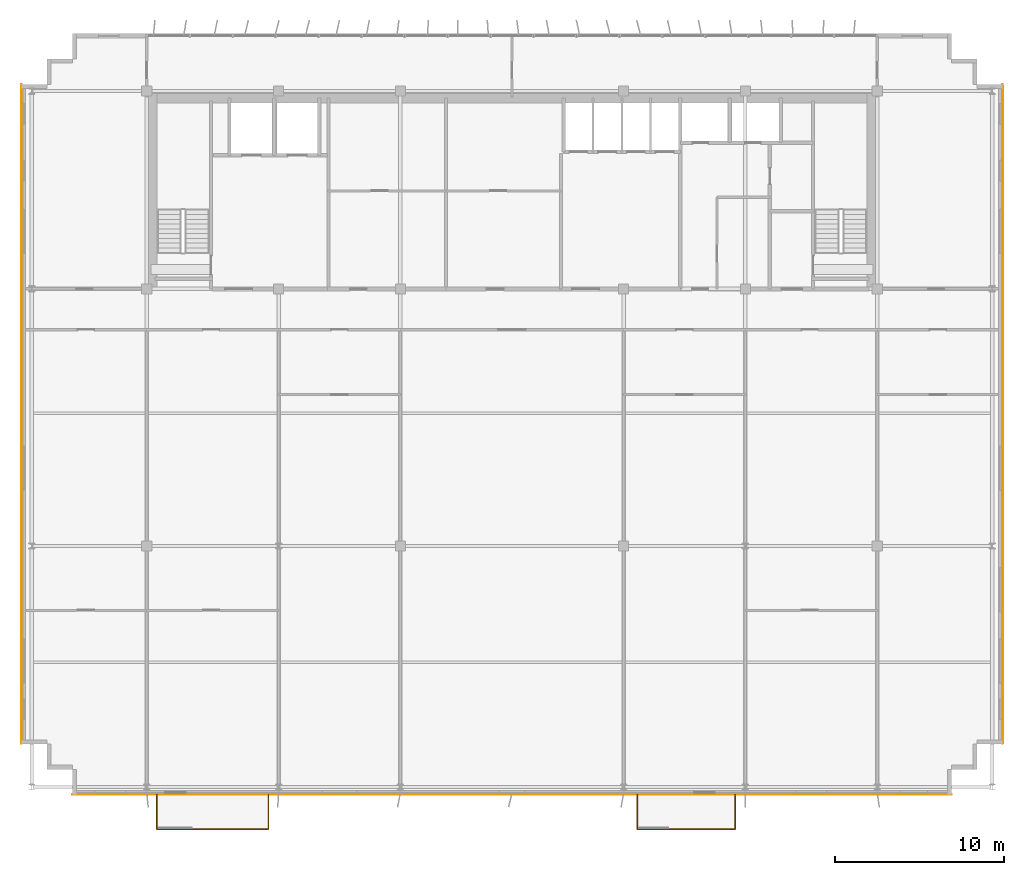
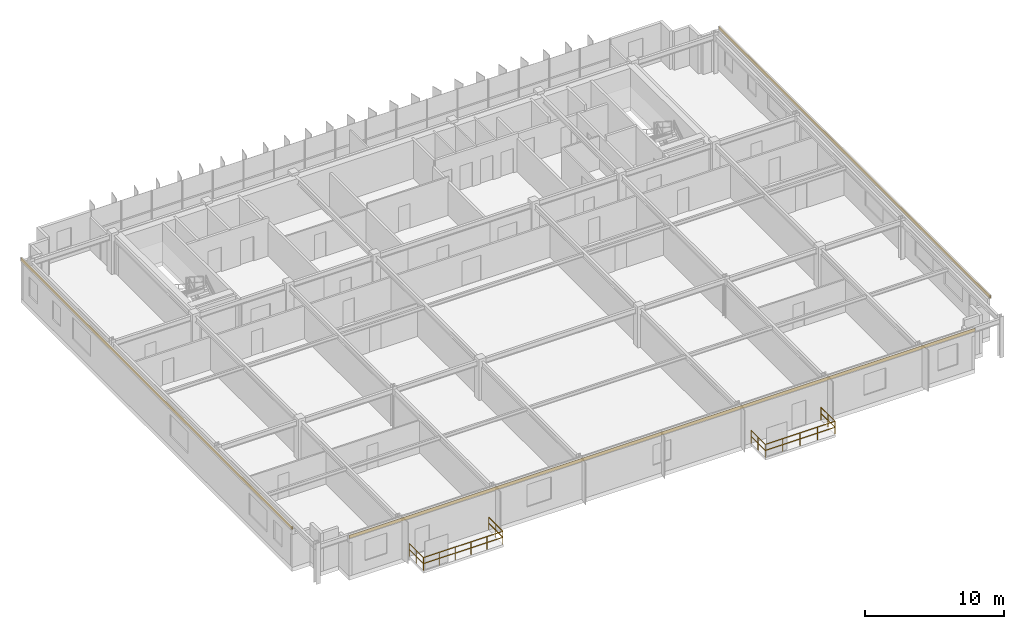
# One storey, part 20 of 21: 6 railings, 3 coverings.
"""IFC4 building model written with IfcOpenShell, lengths in metres."""

from ifc_helpers import new_model, si_unit, direction, frame, origin, origin_2d, place, context, subcontext, project, spatial, rectangle, extrude, source, transform, mapped, material, layer, layer_set, type_object, element, save


model = new_model("IFC4")

# Units and contexts
model_context = context("Model", 3, precision=1e-05, world=origin(), true_north=direction((0.0, 1.0)))
body_context = subcontext(model_context, "Body", "Model", "MODEL_VIEW")
ifc_project = project(units=[si_unit("LENGTHUNIT", "METRE"), si_unit("AREAUNIT", "SQUARE_METRE"), si_unit("VOLUMEUNIT", "CUBIC_METRE"), si_unit("PLANEANGLEUNIT", "RADIAN"), si_unit("MASSUNIT", "GRAM", prefix="KILO")], contexts=[model_context])

# Site, building, storey
site_placement = place(None, origin())
site = spatial("IfcSite", under=ifc_project, at=site_placement, CompositionType="ELEMENT")
building_placement = place(site_placement, origin())
building = spatial("IfcBuilding", under=site, at=building_placement, Name="Trelvane Seafront Commons", CompositionType="ELEMENT")
storey_placement = place(building_placement, frame((0.0, 0.0, 248.699951171875)))
storey = spatial("IfcBuildingStorey", under=building, at=storey_placement, Name="L64", CompositionType="ELEMENT", Elevation=248.699951171875)

# Railings
ifc_material_1 = material(Name="Stainless steel balustrade", Category="steel")
railing_type = type_object("IfcRailingType", Name="ARCH-RAIL-BAL1150", PredefinedType="BALUSTRADE", material=ifc_material_1)
railing_1_placement = place(storey_placement, frame((16.199951171875, 3.5, 0.0)))
element("IfcRailing", 1, at=railing_1_placement, inside=storey, type_object=railing_type, Name="RL-L64-BAL0-01", PredefinedType="BALUSTRADE", context=body_context, shape_type="SweptSolid", body=[
    extrude(rectangle(XDim=0.048095703125, YDim=0.048095703125, at=origin_2d()), frame((0.0, 0.0, 1.1259765625), z_axis=(0.0, -1.0, 0.0), x_axis=(1.0, 0.0, 0.0)), (0.0, 0.0, 1.0), 2.0400390625),
    extrude(rectangle(XDim=0.048095703125, YDim=0.048095703125, at=origin_2d()), frame((0.0, 0.0, 0.597900390625), z_axis=(0.0, -1.0, 0.0), x_axis=(1.0, 0.0, 0.0)), (0.0, 0.0, 1.0), 2.0400390625),
    extrude(rectangle(XDim=0.0419921875, YDim=0.0419921875, at=origin_2d()), origin(), (0.0, 0.0, 1.0), 1.1259765625),
    extrude(rectangle(XDim=0.0419921875, YDim=0.0419921875, at=origin_2d()), frame((0.0, -1.02001953125, 0.0)), (0.0, 0.0, 1.0), 1.1259765625),
    extrude(rectangle(XDim=0.0419921875, YDim=0.0419921875, at=origin_2d()), frame((0.0, -2.0400390625, 0.0)), (0.0, 0.0, 1.0), 1.1259765625),
])
railing_2_placement = place(storey_placement, frame((16.199951171875, 1.4599609375, 0.0)))
element("IfcRailing", 2, at=railing_2_placement, inside=storey, type_object=railing_type, Name="RL-L64-BAL0-02", PredefinedType="BALUSTRADE", context=body_context, shape_type="SweptSolid", body=[
    extrude(rectangle(XDim=0.048095703125, YDim=0.048095703125, at=origin_2d()), frame((0.0, 0.0, 1.1259765625), z_axis=(1.0, 0.0, 0.0), x_axis=(0.0, 1.0, 0.0)), (0.0, 0.0, 1.0), 6.60009765625),
    extrude(rectangle(XDim=0.048095703125, YDim=0.048095703125, at=origin_2d()), frame((0.0, 0.0, 0.597900390625), z_axis=(1.0, 0.0, 0.0), x_axis=(0.0, 1.0, 0.0)), (0.0, 0.0, 1.0), 6.60009765625),
    extrude(rectangle(XDim=0.0419921875, YDim=0.0419921875, at=origin_2d()), origin(), (0.0, 0.0, 1.0), 1.1259765625),
    extrude(rectangle(XDim=0.0419921875, YDim=0.0419921875, at=origin_2d()), frame((1.320068359375, 0.0, 0.0)), (0.0, 0.0, 1.0), 1.1259765625),
    extrude(rectangle(XDim=0.0419921875, YDim=0.0419921875, at=origin_2d()), frame((2.64013671875, 0.0, 0.0)), (0.0, 0.0, 1.0), 1.1259765625),
    extrude(rectangle(XDim=0.0419921875, YDim=0.0419921875, at=origin_2d()), frame((3.9599609375, 0.0, 0.0)), (0.0, 0.0, 1.0), 1.1259765625),
    extrude(rectangle(XDim=0.0419921875, YDim=0.0419921875, at=origin_2d()), frame((5.280029296875, 0.0, 0.0)), (0.0, 0.0, 1.0), 1.1259765625),
    extrude(rectangle(XDim=0.0419921875, YDim=0.0419921875, at=origin_2d()), frame((6.60009765625, 0.0, 0.0)), (0.0, 0.0, 1.0), 1.1259765625),
])
railing_3_placement = place(storey_placement, frame((22.800048828125, 1.4599609375, 0.0)))
element("IfcRailing", 3, at=railing_3_placement, inside=storey, type_object=railing_type, Name="RL-L64-BAL0-03", PredefinedType="BALUSTRADE", context=body_context, shape_type="SweptSolid", body=[
    extrude(rectangle(XDim=0.048095703125, YDim=0.048095703125, at=origin_2d()), frame((0.0, 0.0, 1.1259765625), z_axis=(0.0, 1.0, 0.0), x_axis=(-1.0, 0.0, 0.0)), (0.0, 0.0, 1.0), 2.0400390625),
    extrude(rectangle(XDim=0.048095703125, YDim=0.048095703125, at=origin_2d()), frame((0.0, 0.0, 0.597900390625), z_axis=(0.0, 1.0, 0.0), x_axis=(-1.0, 0.0, 0.0)), (0.0, 0.0, 1.0), 2.0400390625),
    extrude(rectangle(XDim=0.0419921875, YDim=0.0419921875, at=origin_2d()), origin(), (0.0, 0.0, 1.0), 1.1259765625),
    extrude(rectangle(XDim=0.0419921875, YDim=0.0419921875, at=origin_2d()), frame((0.0, 1.02001953125, 0.0)), (0.0, 0.0, 1.0), 1.1259765625),
    extrude(rectangle(XDim=0.0419921875, YDim=0.0419921875, at=origin_2d()), frame((0.0, 2.0400390625, 0.0)), (0.0, 0.0, 1.0), 1.1259765625),
])
railing_4_placement = place(storey_placement, frame((44.60009765625, 3.5, 0.0)))
element("IfcRailing", 4, at=railing_4_placement, inside=storey, type_object=railing_type, Name="RL-L64-BAL1-01", PredefinedType="BALUSTRADE", context=body_context, shape_type="SweptSolid", body=[
    extrude(rectangle(XDim=0.048095703125, YDim=0.048095703125, at=origin_2d()), frame((0.0, 0.0, 1.1259765625), z_axis=(0.0, -1.0, 0.0), x_axis=(1.0, 0.0, 0.0)), (0.0, 0.0, 1.0), 2.0400390625),
    extrude(rectangle(XDim=0.048095703125, YDim=0.048095703125, at=origin_2d()), frame((0.0, 0.0, 0.597900390625), z_axis=(0.0, -1.0, 0.0), x_axis=(1.0, 0.0, 0.0)), (0.0, 0.0, 1.0), 2.0400390625),
    extrude(rectangle(XDim=0.0419921875, YDim=0.0419921875, at=origin_2d()), origin(), (0.0, 0.0, 1.0), 1.1259765625),
    extrude(rectangle(XDim=0.0419921875, YDim=0.0419921875, at=origin_2d()), frame((0.0, -1.02001953125, 0.0)), (0.0, 0.0, 1.0), 1.1259765625),
    extrude(rectangle(XDim=0.0419921875, YDim=0.0419921875, at=origin_2d()), frame((0.0, -2.0400390625, 0.0)), (0.0, 0.0, 1.0), 1.1259765625),
])
railing_5_placement = place(storey_placement, frame((44.60009765625, 1.4599609375, 0.0)))
element("IfcRailing", 5, at=railing_5_placement, inside=storey, type_object=railing_type, Name="RL-L64-BAL1-02", PredefinedType="BALUSTRADE", context=body_context, shape_type="SweptSolid", body=[
    extrude(rectangle(XDim=0.048095703125, YDim=0.048095703125, at=origin_2d()), frame((0.0, 0.0, 1.1259765625), z_axis=(1.0, 0.0, 0.0), x_axis=(0.0, 1.0, 0.0)), (0.0, 0.0, 1.0), 5.7998046875),
    extrude(rectangle(XDim=0.048095703125, YDim=0.048095703125, at=origin_2d()), frame((0.0, 0.0, 0.597900390625), z_axis=(1.0, 0.0, 0.0), x_axis=(0.0, 1.0, 0.0)), (0.0, 0.0, 1.0), 5.7998046875),
    extrude(rectangle(XDim=0.0419921875, YDim=0.0419921875, at=origin_2d()), origin(), (0.0, 0.0, 1.0), 1.1259765625),
    extrude(rectangle(XDim=0.0419921875, YDim=0.0419921875, at=origin_2d()), frame((1.449951171875, 0.0, 0.0)), (0.0, 0.0, 1.0), 1.1259765625),
    extrude(rectangle(XDim=0.0419921875, YDim=0.0419921875, at=origin_2d()), frame((2.89990234375, 0.0, 0.0)), (0.0, 0.0, 1.0), 1.1259765625),
    extrude(rectangle(XDim=0.0419921875, YDim=0.0419921875, at=origin_2d()), frame((4.349853515625, 0.0, 0.0)), (0.0, 0.0, 1.0), 1.1259765625),
    extrude(rectangle(XDim=0.0419921875, YDim=0.0419921875, at=origin_2d()), frame((5.7998046875, 0.0, 0.0)), (0.0, 0.0, 1.0), 1.1259765625),
])
railing_6_placement = place(storey_placement, frame((50.39990234375, 1.4599609375, 0.0)))
element("IfcRailing", 6, at=railing_6_placement, inside=storey, type_object=railing_type, Name="RL-L64-BAL1-03", PredefinedType="BALUSTRADE", context=body_context, shape_type="SweptSolid", body=[
    extrude(rectangle(XDim=0.048095703125, YDim=0.048095703125, at=origin_2d()), frame((0.0, 0.0, 1.1259765625), z_axis=(0.0, 1.0, 0.0), x_axis=(-1.0, 0.0, 0.0)), (0.0, 0.0, 1.0), 2.0400390625),
    extrude(rectangle(XDim=0.048095703125, YDim=0.048095703125, at=origin_2d()), frame((0.0, 0.0, 0.597900390625), z_axis=(0.0, 1.0, 0.0), x_axis=(-1.0, 0.0, 0.0)), (0.0, 0.0, 1.0), 2.0400390625),
    extrude(rectangle(XDim=0.0419921875, YDim=0.0419921875, at=origin_2d()), origin(), (0.0, 0.0, 1.0), 1.1259765625),
    extrude(rectangle(XDim=0.0419921875, YDim=0.0419921875, at=origin_2d()), frame((0.0, 1.02001953125, 0.0)), (0.0, 0.0, 1.0), 1.1259765625),
    extrude(rectangle(XDim=0.0419921875, YDim=0.0419921875, at=origin_2d()), frame((0.0, 2.0400390625, 0.0)), (0.0, 0.0, 1.0), 1.1259765625),
])

# Coverings
ifc_material_2 = material(Name="Anodised pale-silver aluminium", Category="aluminium")
ifc_layer = layer(ifc_material_2, 0.034912109375, Name="ARCH-COV-CLAD35")
ifc_layer_set = layer_set([ifc_layer], Name="Anodised pale-silver aluminium")
covering_type = type_object("IfcCoveringType", Name="ARCH-COV-CLAD35", PredefinedType="CLADDING", material=ifc_layer_set)
shared_shape_1 = source(origin(), body_context, "Body", "SweptSolid", [
    extrude(rectangle(XDim=39.0, YDim=0.034912109375, at=origin_2d()), origin(), (0.0, 0.0, 1.0), 0.27001953125),
])
for number, where, z_axis, x_axis, name in (
    (7, (8.199951171875, 26.0, 3.330078125), (0.0, 0.0, 1.0), (0.0, 1.0, 0.0), "CLD-L64-00263"),
    (8, (66.199951171875, 26.0, 3.330078125), (0.0, 0.0, 1.0), (0.0, -1.0, 0.0), "CLD-L64-00264"),
):
    element("IfcCovering", number, at=place(storey_placement, frame(where, z_axis=z_axis, x_axis=x_axis)), inside=storey, type_object=covering_type, Name=name, PredefinedType="CLADDING", context=body_context, shape_type="MappedRepresentation", body=[
        mapped(shared_shape_1, transform((0.0, 0.0, 0.0), x_axis=(1.0, 0.0, 0.0), y_axis=(0.0, 1.0, 0.0), z_axis=(0.0, 0.0, 1.0), scale=1.0)),
    ])
shared_shape_2 = source(origin(), body_context, "Body", "SweptSolid", [
    extrude(rectangle(XDim=52.0, YDim=0.034912109375, at=origin_2d()), origin(), (0.0, 0.0, 1.0), 0.27001953125),
])
covering_placement = place(storey_placement, frame((37.199951171875, 3.5, 3.330078125), z_axis=(0.0, 0.0, 1.0), x_axis=(-1.0, 0.0, 0.0)))
element("IfcCovering", 9, at=covering_placement, inside=storey, type_object=covering_type, Name="CLD-L64-00265", PredefinedType="CLADDING", context=body_context, shape_type="MappedRepresentation", body=[
    mapped(shared_shape_2, transform((0.0, 0.0, 0.0), x_axis=(1.0, 0.0, 0.0), y_axis=(0.0, 1.0, 0.0), z_axis=(0.0, 0.0, 1.0), scale=1.0)),
])

save(model, "model.ifc")
